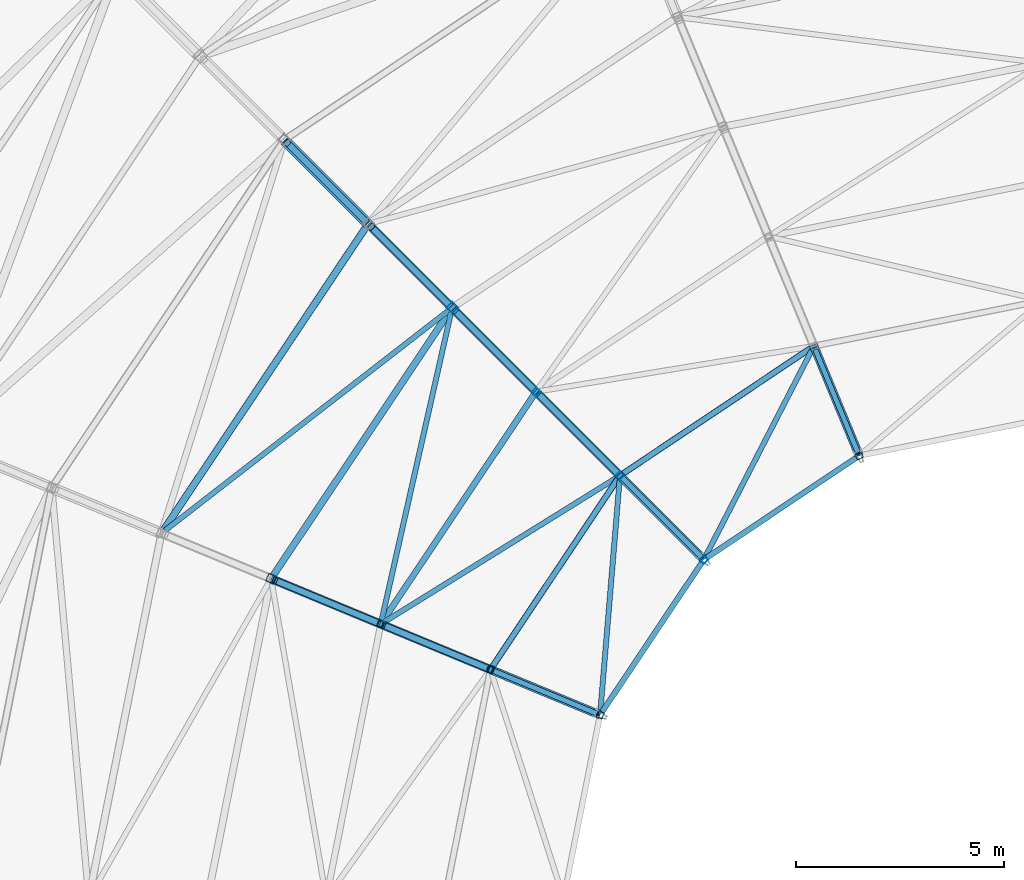
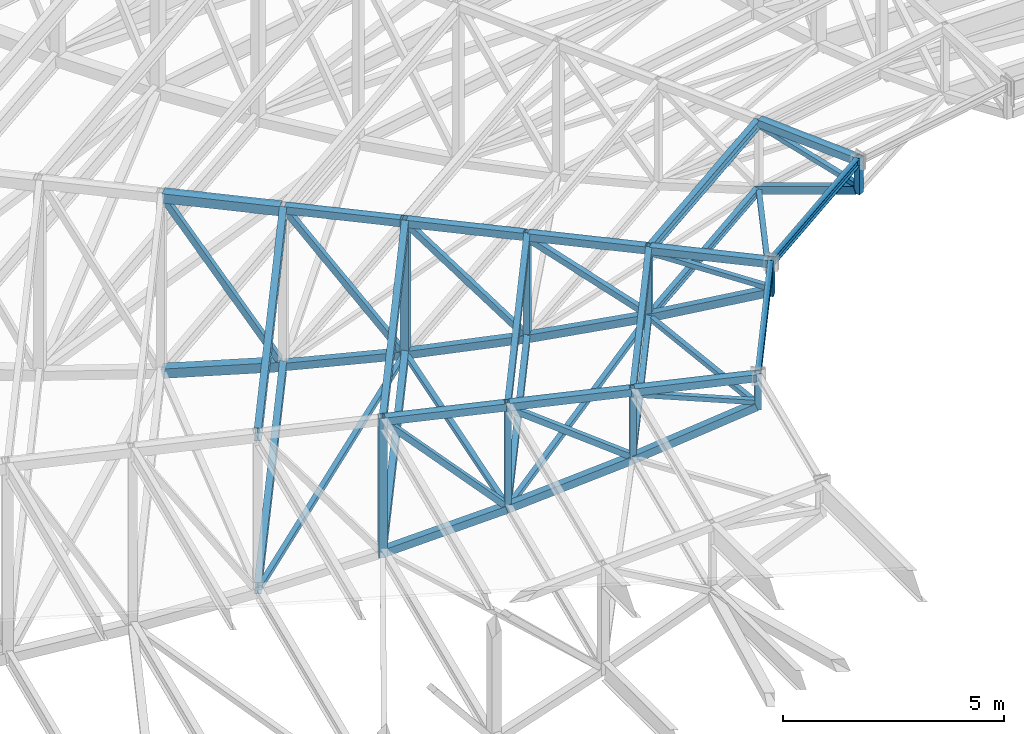
# One storey, part 72 of 278: 27 beams, 26 members.
"""IFC4 building model written with IfcOpenShell, lengths in metres."""

from ifc_helpers import new_model, si_unit, direction, frame, origin, origin_2d, place, context, subcontext, project, spatial, hollow_rectangle, i_section, extrude, material, material_profile, profile_set, type_object, element, save


model = new_model("IFC4")

# Units and contexts
model_context = context("Model", 3, precision=1e-05, world=origin(), true_north=direction((0.0, 1.0)))
body_context = subcontext(model_context, "Body", "Model", "MODEL_VIEW")
ifc_project = project(units=[si_unit("LENGTHUNIT", "METRE"), si_unit("AREAUNIT", "SQUARE_METRE"), si_unit("VOLUMEUNIT", "CUBIC_METRE"), si_unit("PLANEANGLEUNIT", "RADIAN"), si_unit("MASSUNIT", "GRAM", prefix="KILO")], contexts=[model_context])

# Site, building, storey
site_placement = place(None, origin())
site = spatial("IfcSite", under=ifc_project, at=site_placement, CompositionType="ELEMENT")
building_placement = place(site_placement, origin())
building = spatial("IfcBuilding", under=site, at=building_placement, Name="Ogive Plaza Stadium", CompositionType="ELEMENT")
storey_placement = place(building_placement, frame((0.0, 0.0, 29.0)))
storey = spatial("IfcBuildingStorey", under=building, at=storey_placement, Name="Roof", CompositionType="ELEMENT", Elevation=29.0)

# Members
ifc_material_1 = material(Name="Steel ASTM A500 Grade C", Category="steel")
ifc_material_profile_1 = material_profile(ifc_material_1, hollow_rectangle(XDim=0.126953125, YDim=0.126953125, WallThickness=0.005859375, at=origin_2d()), Name="HSS5X5X1/4")
ifc_profile_set_1 = profile_set([ifc_material_profile_1], Name="Steel ASTM A500 Grade C")
member_type_1 = type_object("IfcMemberType", Name="Roof plan brace HSS5X5X1/4", PredefinedType="BRACE", material=ifc_profile_set_1)
member_1_placement = place(storey_placement, frame((-44.618896484375, 56.970947265625, 6.51171875), z_axis=(0.081056653084, 0.974951652245, -0.207120966527), x_axis=(-0.996561754685, 0.082853298664, 0.0)))
element("IfcMember", 1, at=member_1_placement, inside=storey, type_object=member_type_1, Name="ROOF BRACE B29 1", PredefinedType="BRACE", context=body_context, shape_type="SweptSolid", body=[
    extrude(hollow_rectangle(XDim=0.126953125, YDim=0.126953125, WallThickness=0.005859375, at=origin_2d()), origin(), (0.0, 0.0, 1.0), 5.695556640625),
])
member_2_placement = place(storey_placement, frame((-44.20068359375, 62.61376953125, 5.295654296875), z_axis=(-0.838776078421, -0.520585571833, -0.159515995024), x_axis=(0.527337952885, -0.849655626385, 0.0)))
element("IfcMember", 2, at=member_2_placement, inside=storey, type_object=member_type_1, Name="ROOF BRACE B29 2", PredefinedType="BRACE", context=body_context, shape_type="SweptSolid", body=[
    extrude(hollow_rectangle(XDim=0.126953125, YDim=0.126953125, WallThickness=0.005859375, at=origin_2d()), origin(), (0.0, 0.0, 1.0), 6.673095703125),
])
member_3_placement = place(storey_placement, frame((-49.8779296875, 59.138916015625, 4.206298828125), z_axis=(0.218386127806, 0.968099836714, -0.122842196891), x_axis=(-0.97548797168, 0.220052759827, 0.0)))
element("IfcMember", 3, at=member_3_placement, inside=storey, type_object=member_type_1, Name="ROOF BRACE B29 3", PredefinedType="BRACE", context=body_context, shape_type="SweptSolid", body=[
    extrude(hollow_rectangle(XDim=0.126953125, YDim=0.126953125, WallThickness=0.005859375, at=origin_2d()), origin(), (0.0, 0.0, 1.0), 7.655517578125),
])
member_4_placement = place(storey_placement, frame((-48.240966796875, 66.628173828125, 3.242431640625), z_axis=(-0.786839994171, -0.610365157138, -0.091308260987), x_axis=(0.612925545904, -0.790140667969, 0.0)))
element("IfcMember", 4, at=member_4_placement, inside=storey, type_object=member_type_1, Name="ROOF BRACE B29 4", PredefinedType="BRACE", context=body_context, shape_type="SweptSolid", body=[
    extrude(hollow_rectangle(XDim=0.126953125, YDim=0.126953125, WallThickness=0.005859375, at=origin_2d()), origin(), (0.0, 0.0, 1.0), 8.665771484375),
])
member_5_placement = place(storey_placement, frame((-42.099609375, 60.6943359375, 6.51171875), z_axis=(0.447994348676, 0.86971173479, -0.207129336217), x_axis=(-0.888990772386, 0.457925110267, 0.0)))
element("IfcMember", 5, at=member_5_placement, inside=storey, type_object=member_type_1, Name="ROOF BRACE B30 1", PredefinedType="BRACE", context=body_context, shape_type="SweptSolid", body=[
    extrude(hollow_rectangle(XDim=0.126953125, YDim=0.126953125, WallThickness=0.005859375, at=origin_2d()), origin(), (0.0, 0.0, 1.0), 5.6953125),
])
ifc_material_2 = material(Name="Steel ASTM A992 Grade 50", Category="steel")
ifc_material_profile_2 = material_profile(ifc_material_2, i_section(OverallWidth=0.14599609375, OverallDepth=0.25830078125, WebThickness=0.006103515625, FlangeThickness=0.009033203125, at=origin_2d()), Name="W10X22")
ifc_profile_set_2 = profile_set([ifc_material_profile_2], Name="Steel ASTM A992 Grade 50")
member_type_2 = type_object("IfcMemberType", Name="Roof plan strut W10X22", PredefinedType="STRUT", material=ifc_profile_set_2)
member_6_placement = place(storey_placement, frame((-49.856201171875, 59.1337890625, 4.213623046875), z_axis=(0.555563791422, 0.831473916404, 0.0), x_axis=(-0.831473916404, 0.555563791422, 0.0)))
element("IfcMember", 6, at=member_6_placement, inside=storey, type_object=member_type_2, Name="ROOF STRUT B29 2", PredefinedType="STRUT", context=body_context, shape_type="SweptSolid", body=[
    extrude(i_section(OverallWidth=0.14599609375, OverallDepth=0.25830078125, WebThickness=0.006103515625, FlangeThickness=0.009033203125, at=origin_2d()), origin(), (0.0, 0.0, 1.0), 6.5869140625),
])
ifc_material_3 = material(Name="Steel ASTM A992 Grade 50", Category="steel")
ifc_material_profile_3 = material_profile(ifc_material_3, i_section(OverallWidth=0.164794921875, OverallDepth=0.310302734375, WebThickness=0.005859375, FlangeThickness=0.009765625, at=origin_2d()), Name="W12X26")
ifc_profile_set_3 = profile_set([ifc_material_profile_3], Name="Steel ASTM A992 Grade 50")
member_type_3 = type_object("IfcMemberType", Name="Roof plan strut W12X26", PredefinedType="STRUT", material=ifc_profile_set_3)
member_7_placement = place(storey_placement, frame((-52.473876953125, 60.24755859375, 3.249755859375), z_axis=(0.555562324677, 0.831474896434, 0.0), x_axis=(-0.831474896434, 0.555562324677, 0.0)))
element("IfcMember", 7, at=member_7_placement, inside=storey, type_object=member_type_3, Name="ROOF STRUT B29 3", PredefinedType="STRUT", context=body_context, shape_type="SweptSolid", body=[
    extrude(i_section(OverallWidth=0.164794921875, OverallDepth=0.310302734375, WebThickness=0.005859375, FlangeThickness=0.009765625, at=origin_2d()), origin(), (0.0, 0.0, 1.0), 7.643310546875),
])
member_8_placement = place(storey_placement, frame((-55.10693359375, 61.33837890625, 2.43994140625), z_axis=(0.555587921771, 0.831457792785, 0.0), x_axis=(-0.831457792785, 0.555587921771, 0.0)))
element("IfcMember", 8, at=member_8_placement, inside=storey, type_object=member_type_3, Name="ROOF STRUT B29 4", PredefinedType="STRUT", context=body_context, shape_type="SweptSolid", body=[
    extrude(i_section(OverallWidth=0.164794921875, OverallDepth=0.310302734375, WebThickness=0.005859375, FlangeThickness=0.009765625, at=origin_2d()), origin(), (0.0, 0.0, 1.0), 8.755126953125),
])
ifc_material_4 = material(Name="Steel ASTM A992 Grade 50", Category="steel")
ifc_material_profile_4 = material_profile(ifc_material_4, i_section(OverallWidth=0.13330078125, OverallDepth=0.206787109375, WebThickness=0.005859375, FlangeThickness=0.00830078125, at=origin_2d()), Name="W8X18")
ifc_profile_set_4 = profile_set([ifc_material_profile_4], Name="Steel ASTM A992 Grade 50")
member_type_4 = type_object("IfcMemberType", Name="Roof plan strut W8X18", PredefinedType="STRUT", material=ifc_profile_set_4)
for number, where, z_axis, x_axis, name in (
    (9, (-47.223876953125, 58.042236328125, 5.305908203125), (0.555584527762, 0.831460060683, 0.0), (-0.831460060683, 0.555584527762, 0.0), "ROOF STRUT B29 1"),
    (10, (-44.09619140625, 62.680908203125, 5.305908203125), (0.831460060683, 0.555584527762, 0.0), (-0.555584527762, 0.831460060683, 0.0), "ROOF STRUT B30 1"),
):
    element("IfcMember", number, at=place(storey_placement, frame(where, z_axis=z_axis, x_axis=x_axis)), inside=storey, type_object=member_type_4, Name=name, PredefinedType="STRUT", context=body_context, shape_type="SweptSolid", body=[
        extrude(i_section(OverallWidth=0.13330078125, OverallDepth=0.206787109375, WebThickness=0.005859375, FlangeThickness=0.00830078125, at=origin_2d()), origin(), (0.0, 0.0, 1.0), 5.47705078125),
    ])
ifc_material_5 = material(Name="Steel ASTM A992 Grade 50", Category="steel")
ifc_material_profile_5 = material_profile(ifc_material_5, i_section(OverallWidth=0.14599609375, OverallDepth=0.25830078125, WebThickness=0.006103515625, FlangeThickness=0.009033203125, at=origin_2d()), Name="W10X22")
ifc_profile_set_5 = profile_set([ifc_material_profile_5], Name="Steel ASTM A992 Grade 50")
member_type_5 = type_object("IfcMemberType", Name="Roof purlin W10X22", PredefinedType="PURLIN", material=ifc_profile_set_5)
member_9_placement = place(storey_placement, frame((-47.22314453125, 58.043212890625, 7.1533203125), z_axis=(0.55556435353, 0.831473540822, 0.0), x_axis=(-0.831473540822, 0.55556435353, 0.0)))
element("IfcMember", 11, at=member_9_placement, inside=storey, type_object=member_type_5, Name="ROOF PURLIN B29 1", PredefinedType="PURLIN", context=body_context, shape_type="SweptSolid", body=[
    extrude(i_section(OverallWidth=0.14599609375, OverallDepth=0.25830078125, WebThickness=0.006103515625, FlangeThickness=0.009033203125, at=origin_2d()), origin(), (0.0, 0.0, 1.0), 5.474609375),
])
member_10_placement = place(storey_placement, frame((-49.856201171875, 59.1337890625, 7.0107421875), z_axis=(0.555563791422, 0.831473916404, 0.0), x_axis=(-0.831473916404, 0.555563791422, 0.0)))
element("IfcMember", 12, at=member_10_placement, inside=storey, type_object=member_type_5, Name="ROOF PURLIN B29 2", PredefinedType="PURLIN", context=body_context, shape_type="SweptSolid", body=[
    extrude(i_section(OverallWidth=0.14599609375, OverallDepth=0.25830078125, WebThickness=0.006103515625, FlangeThickness=0.009033203125, at=origin_2d()), origin(), (0.0, 0.0, 1.0), 6.5869140625),
])
member_11_placement = place(storey_placement, frame((-44.09521484375, 62.681640625, 7.1533203125), z_axis=(0.831473540822, 0.55556435353, 0.0), x_axis=(-0.55556435353, 0.831473540822, 0.0)))
element("IfcMember", 13, at=member_11_placement, inside=storey, type_object=member_type_5, Name="ROOF PURLIN B30 1", PredefinedType="PURLIN", context=body_context, shape_type="SweptSolid", body=[
    extrude(i_section(OverallWidth=0.14599609375, OverallDepth=0.25830078125, WebThickness=0.006103515625, FlangeThickness=0.009033203125, at=origin_2d()), origin(), (0.0, 0.0, 1.0), 5.474609375),
])
ifc_material_6 = material(Name="Steel ASTM A992 Grade 50", Category="steel")
ifc_material_profile_6 = material_profile(ifc_material_6, i_section(OverallWidth=0.164794921875, OverallDepth=0.310302734375, WebThickness=0.005859375, FlangeThickness=0.009765625, at=origin_2d()), Name="W12X26")
ifc_profile_set_6 = profile_set([ifc_material_profile_6], Name="Steel ASTM A992 Grade 50")
member_type_6 = type_object("IfcMemberType", Name="Roof purlin W12X26", PredefinedType="PURLIN", material=ifc_profile_set_6)
member_12_placement = place(storey_placement, frame((-52.473876953125, 60.24755859375, 6.84228515625), z_axis=(0.555562324677, 0.831474896434, 0.0), x_axis=(-0.831474896434, 0.555562324677, 0.0)))
element("IfcMember", 14, at=member_12_placement, inside=storey, type_object=member_type_6, Name="ROOF PURLIN B29 3", PredefinedType="PURLIN", context=body_context, shape_type="SweptSolid", body=[
    extrude(i_section(OverallWidth=0.164794921875, OverallDepth=0.310302734375, WebThickness=0.005859375, FlangeThickness=0.009765625, at=origin_2d()), origin(), (0.0, 0.0, 1.0), 7.643310546875),
])
ifc_material_7 = material(Name="Steel ASTM A992 Grade 50", Category="steel")
ifc_material_profile_7 = material_profile(ifc_material_7, i_section(OverallWidth=0.17138671875, OverallDepth=0.35498046875, WebThickness=0.00732421875, FlangeThickness=0.011474609375, at=origin_2d()), Name="W14X34")
ifc_profile_set_7 = profile_set([ifc_material_profile_7], Name="Steel ASTM A992 Grade 50")
member_type_7 = type_object("IfcMemberType", Name="Roof purlin W14X34", PredefinedType="PURLIN", material=ifc_profile_set_7)
member_13_placement = place(storey_placement, frame((-55.1064453125, 61.3388671875, 6.677490234375), z_axis=(0.555562332825, 0.83147489099, 0.0), x_axis=(-0.83147489099, 0.555562332825, 0.0)))
element("IfcMember", 15, at=member_13_placement, inside=storey, type_object=member_type_7, Name="ROOF PURLIN B29 4", PredefinedType="PURLIN", context=body_context, shape_type="SweptSolid", body=[
    extrude(i_section(OverallWidth=0.17138671875, OverallDepth=0.35498046875, WebThickness=0.00732421875, FlangeThickness=0.011474609375, at=origin_2d()), origin(), (0.0, 0.0, 1.0), 8.75390625),
])
ifc_material_8 = material(Name="Steel ASTM A992 Grade 50", Category="steel")
ifc_material_profile_8 = material_profile(ifc_material_8, i_section(OverallWidth=0.13330078125, OverallDepth=0.206787109375, WebThickness=0.005859375, FlangeThickness=0.00830078125, at=origin_2d()), Name="W8X18")
ifc_profile_set_8 = profile_set([ifc_material_profile_8], Name="Steel ASTM A992 Grade 50")
member_type_8 = type_object("IfcMemberType", Name="Roof tip ring beam W8X18", PredefinedType="MEMBER", material=ifc_profile_set_8)
for number, where, z_axis, x_axis, name in (
    (16, (-44.5908203125, 56.95166015625, 7.321533203125), (0.555603345252, 0.831447486462, 0.0), (-0.831447486462, 0.555603345252, 0.0), "RING BEAM B29"),
    (17, (-42.0810546875, 60.66552734375, 7.321533203125), (0.831447486462, 0.555603345252, 0.0), (-0.555603345252, 0.831447486462, 0.0), "RING BEAM B30"),
):
    element("IfcMember", number, at=place(storey_placement, frame(where, z_axis=z_axis, x_axis=x_axis)), inside=storey, type_object=member_type_8, Name=name, PredefinedType="MEMBER", context=body_context, shape_type="SweptSolid", body=[
        extrude(i_section(OverallWidth=0.13330078125, OverallDepth=0.206787109375, WebThickness=0.005859375, FlangeThickness=0.00830078125, at=origin_2d()), origin(), (0.0, 0.0, 1.0), 4.365234375),
    ])

# Beams
ifc_material_9 = material(Name="Steel ASTM A500 Grade C", Category="steel")
ifc_material_profile_9 = material_profile(ifc_material_9, hollow_rectangle(XDim=0.25390625, YDim=0.25390625, WallThickness=0.01171875, at=origin_2d()), Name="HSS10X10X1/2")
ifc_profile_set_9 = profile_set([ifc_material_profile_9], Name="Steel ASTM A500 Grade C")
beam_type_1 = type_object("IfcBeamType", Name="Roof truss bottom chord HSS10X10X1/2", PredefinedType="BEAM", material=ifc_profile_set_9)
beam_1_placement = place(storey_placement, frame((-50.222412109375, 68.722412109375, 2.433349609375), z_axis=(-0.686330364607, 0.686330364607, -0.240626809059), x_axis=(-0.707106781187, -0.707106781187, 0.0)))
element("IfcBeam", 18, at=beam_1_placement, inside=storey, type_object=beam_type_1, Name="ROOF TRUSS T30 BOTTOM CHORD 5", PredefinedType="BEAM", context=body_context, shape_type="SweptSolid", body=[
    extrude(hollow_rectangle(XDim=0.25390625, YDim=0.25390625, WallThickness=0.01171875, at=origin_2d()), origin(), (0.0, 0.0, 1.0), 2.85009765625),
])
ifc_material_10 = material(Name="Steel ASTM A500 Grade C", Category="steel")
ifc_material_profile_10 = material_profile(ifc_material_10, hollow_rectangle(XDim=0.203125, YDim=0.203125, WallThickness=0.01171875, at=origin_2d()), Name="HSS8X8X1/2")
ifc_profile_set_10 = profile_set([ifc_material_profile_10], Name="Steel ASTM A500 Grade C")
beam_type_2 = type_object("IfcBeamType", Name="Roof truss bottom chord HSS8X8X1/2", PredefinedType="BEAM", material=ifc_profile_set_10)
beam_2_placement = place(storey_placement, frame((-44.66162109375, 56.916259765625, 6.518310546875), z_axis=(-0.849251260717, 0.351765143459, -0.393743038055), x_axis=(-0.382677632008, -0.923881935076, 0.0)))
element("IfcBeam", 19, at=beam_2_placement, inside=storey, type_object=beam_type_2, Name="ROOF TRUSS T29 BOTTOM CHORD 1", PredefinedType="BEAM", context=body_context, shape_type="SweptSolid", body=[
    extrude(hollow_rectangle(XDim=0.203125, YDim=0.203125, WallThickness=0.01171875, at=origin_2d()), origin(), (0.0, 0.0, 1.0), 3.047607421875),
])
beam_3_placement = place(storey_placement, frame((-47.291259765625, 58.00537109375, 5.299072265625), z_axis=(-0.862700869161, 0.357350015784, -0.357838198866), x_axis=(-0.38269039354, -0.923876649068, 0.0)))
element("IfcBeam", 20, at=beam_3_placement, inside=storey, type_object=beam_type_2, Name="ROOF TRUSS T29 BOTTOM CHORD 2", PredefinedType="BEAM", context=body_context, shape_type="SweptSolid", body=[
    extrude(hollow_rectangle(XDim=0.203125, YDim=0.203125, WallThickness=0.01171875, at=origin_2d()), origin(), (0.0, 0.0, 1.0), 3.00048828125),
])
beam_4_placement = place(storey_placement, frame((-49.9208984375, 59.0947265625, 4.208251953125), z_axis=(-0.875211905582, 0.362478322525, -0.320333554327), x_axis=(-0.382641697258, -0.923896818654, 0.0)))
element("IfcBeam", 21, at=beam_4_placement, inside=storey, type_object=beam_type_2, Name="ROOF TRUSS T29 BOTTOM CHORD 3", PredefinedType="BEAM", context=body_context, shape_type="SweptSolid", body=[
    extrude(hollow_rectangle(XDim=0.203125, YDim=0.203125, WallThickness=0.01171875, at=origin_2d()), origin(), (0.0, 0.0, 1.0), 2.93115234375),
])
beam_5_placement = place(storey_placement, frame((-42.159912109375, 60.659912109375, 6.518310546875), z_axis=(-0.649991641877, 0.649991641877, -0.393727991105), x_axis=(-0.707106781187, -0.707106781187, 0.0)))
element("IfcBeam", 22, at=beam_5_placement, inside=storey, type_object=beam_type_2, Name="ROOF TRUSS T30 BOTTOM CHORD 1", PredefinedType="BEAM", context=body_context, shape_type="SweptSolid", body=[
    extrude(hollow_rectangle(XDim=0.203125, YDim=0.203125, WallThickness=0.01171875, at=origin_2d()), origin(), (0.0, 0.0, 1.0), 3.047607421875),
])
beam_6_placement = place(storey_placement, frame((-44.172607421875, 62.672607421875, 5.299072265625), z_axis=(-0.660282530207, 0.660282530207, -0.357846280696), x_axis=(-0.707106781187, -0.707106781187, 0.0)))
element("IfcBeam", 23, at=beam_6_placement, inside=storey, type_object=beam_type_2, Name="ROOF TRUSS T30 BOTTOM CHORD 2", PredefinedType="BEAM", context=body_context, shape_type="SweptSolid", body=[
    extrude(hollow_rectangle(XDim=0.203125, YDim=0.203125, WallThickness=0.01171875, at=origin_2d()), origin(), (0.0, 0.0, 1.0), 3.00048828125),
])
beam_7_placement = place(storey_placement, frame((-46.185302734375, 64.685302734375, 4.208251953125), z_axis=(-0.669842885188, 0.669842885188, -0.32034515499), x_axis=(-0.707106781187, -0.707106781187, 0.0)))
element("IfcBeam", 24, at=beam_7_placement, inside=storey, type_object=beam_type_2, Name="ROOF TRUSS T30 BOTTOM CHORD 3", PredefinedType="BEAM", context=body_context, shape_type="SweptSolid", body=[
    extrude(hollow_rectangle(XDim=0.203125, YDim=0.203125, WallThickness=0.01171875, at=origin_2d()), origin(), (0.0, 0.0, 1.0), 2.93115234375),
])
beam_8_placement = place(storey_placement, frame((-48.208740234375, 66.708740234375, 3.2412109375), z_axis=(-0.678564027616, 0.678564027616, -0.281250281514), x_axis=(-0.707106781187, -0.707106781187, 0.0)))
element("IfcBeam", 25, at=beam_8_placement, inside=storey, type_object=beam_type_2, Name="ROOF TRUSS T30 BOTTOM CHORD 4", PredefinedType="BEAM", context=body_context, shape_type="SweptSolid", body=[
    extrude(hollow_rectangle(XDim=0.203125, YDim=0.203125, WallThickness=0.01171875, at=origin_2d()), origin(), (0.0, 0.0, 1.0), 2.877685546875),
])
beam_9_placement = place(storey_placement, frame((-38.416259765625, 63.16162109375, 6.518310546875), z_axis=(-0.351765143459, 0.849251260717, -0.393743038055), x_axis=(-0.923881935076, -0.382677632008, 0.0)))
element("IfcBeam", 26, at=beam_9_placement, inside=storey, type_object=beam_type_2, Name="ROOF TRUSS T31 BOTTOM CHORD 1", PredefinedType="BEAM", context=body_context, shape_type="SweptSolid", body=[
    extrude(hollow_rectangle(XDim=0.203125, YDim=0.203125, WallThickness=0.01171875, at=origin_2d()), origin(), (0.0, 0.0, 1.0), 3.047607421875),
])

# Members
ifc_material_11 = material(Name="Steel ASTM A500 Grade C", Category="steel")
ifc_material_profile_11 = material_profile(ifc_material_11, hollow_rectangle(XDim=0.126953125, YDim=0.126953125, WallThickness=0.005859375, at=origin_2d()), Name="HSS5X5X1/4")
ifc_profile_set_11 = profile_set([ifc_material_profile_11], Name="Steel ASTM A500 Grade C")
member_type_9 = type_object("IfcMemberType", Name="Roof truss diagonal HSS5X5X1/4", PredefinedType="BRACE", material=ifc_profile_set_11)
for number, where, z_axis, x_axis, name in (
    (27, (-44.695068359375, 56.929931640625, 6.628173828125), (-0.911200476609, 0.377494789927, 0.164958706972), (-0.382738120768, -0.923856877937, 0.0), "ROOF TRUSS T29 DIAGONAL 1"),
    (28, (-42.185546875, 60.685546875, 6.628173828125), (-0.69741961611, 0.69741961611, 0.164959868242), (-0.707106781187, -0.707106781187, 0.0), "ROOF TRUSS T30 DIAGONAL 1"),
    (29, (-38.429931640625, 63.195068359375, 6.628173828125), (-0.377494789927, 0.911200476609, 0.164958706972), (-0.923856877937, -0.382738120768, 0.0), "ROOF TRUSS T31 DIAGONAL 1"),
):
    element("IfcMember", number, at=place(storey_placement, frame(where, z_axis=z_axis, x_axis=x_axis)), inside=storey, type_object=member_type_9, Name=name, PredefinedType="BRACE", context=body_context, shape_type="SweptSolid", body=[
        extrude(hollow_rectangle(XDim=0.126953125, YDim=0.126953125, WallThickness=0.005859375, at=origin_2d()), origin(), (0.0, 0.0, 1.0), 2.735107421875),
    ])
ifc_material_12 = material(Name="Steel ASTM A500 Grade C", Category="steel")
ifc_material_profile_12 = material_profile(ifc_material_12, hollow_rectangle(XDim=0.15234375, YDim=0.15234375, WallThickness=0.005859375, at=origin_2d()), Name="HSS6X6X1/4")
ifc_profile_set_12 = profile_set([ifc_material_profile_12], Name="Steel ASTM A500 Grade C")
member_type_10 = type_object("IfcMemberType", Name="Roof truss diagonal HSS6X6X1/4", PredefinedType="BRACE", material=ifc_profile_set_12)
member_14_placement = place(storey_placement, frame((-47.328125, 58.020751953125, 5.407470703125), z_axis=(-0.803712399025, 0.332885582198, 0.493187153947), x_axis=(-0.382660871212, -0.923888877324, 0.0)))
element("IfcMember", 30, at=member_14_placement, inside=storey, type_object=member_type_10, Name="ROOF TRUSS T29 DIAGONAL 2", PredefinedType="BRACE", context=body_context, shape_type="SweptSolid", body=[
    extrude(hollow_rectangle(XDim=0.15234375, YDim=0.15234375, WallThickness=0.005859375, at=origin_2d()), origin(), (0.0, 0.0, 1.0), 3.100830078125),
])
member_15_placement = place(storey_placement, frame((-49.961181640625, 59.111328125, 4.315185546875), z_axis=(-0.677295435038, 0.280576599819, 0.680108568767), x_axis=(-0.382720275855, -0.923864270577, 0.0)))
element("IfcMember", 31, at=member_15_placement, inside=storey, type_object=member_type_10, Name="ROOF TRUSS T29 DIAGONAL 3", PredefinedType="BRACE", context=body_context, shape_type="SweptSolid", body=[
    extrude(hollow_rectangle(XDim=0.15234375, YDim=0.15234375, WallThickness=0.005859375, at=origin_2d()), origin(), (0.0, 0.0, 1.0), 3.64501953125),
])
member_16_placement = place(storey_placement, frame((-44.200927734375, 62.700927734375, 5.407470703125), z_axis=(-0.61513271655, 0.61513271655, 0.493176927745), x_axis=(-0.707106781187, -0.707106781187, 0.0)))
element("IfcMember", 32, at=member_16_placement, inside=storey, type_object=member_type_10, Name="ROOF TRUSS T30 DIAGONAL 2", PredefinedType="BRACE", context=body_context, shape_type="SweptSolid", body=[
    extrude(hollow_rectangle(XDim=0.15234375, YDim=0.15234375, WallThickness=0.005859375, at=origin_2d()), origin(), (0.0, 0.0, 1.0), 3.100830078125),
])
member_17_placement = place(storey_placement, frame((-46.216064453125, 64.716064453125, 4.315185546875), z_axis=(-0.518402991989, 0.518402991989, 0.680085785614), x_axis=(-0.707106781187, -0.707106781187, 0.0)))
element("IfcMember", 33, at=member_17_placement, inside=storey, type_object=member_type_10, Name="ROOF TRUSS T30 DIAGONAL 3", PredefinedType="BRACE", context=body_context, shape_type="SweptSolid", body=[
    extrude(hollow_rectangle(XDim=0.15234375, YDim=0.15234375, WallThickness=0.005859375, at=origin_2d()), origin(), (0.0, 0.0, 1.0), 3.64501953125),
])
member_18_placement = place(storey_placement, frame((-48.249267578125, 66.749267578125, 3.3515625), z_axis=(-0.442396624327, 0.442396624327, 0.780109257456), x_axis=(-0.707106781187, -0.707106781187, 0.0)))
element("IfcMember", 34, at=member_18_placement, inside=storey, type_object=member_type_10, Name="ROOF TRUSS T30 DIAGONAL 4", PredefinedType="BRACE", context=body_context, shape_type="SweptSolid", body=[
    extrude(hollow_rectangle(XDim=0.15234375, YDim=0.15234375, WallThickness=0.005859375, at=origin_2d()), origin(), (0.0, 0.0, 1.0), 4.23046875),
])
member_19_placement = place(storey_placement, frame((-50.2646484375, 68.7646484375, 2.56689453125), z_axis=(-0.397667434985, 0.397667434985, 0.826874369118), x_axis=(-0.707106781187, -0.707106781187, 0.0)))
element("IfcMember", 35, at=member_19_placement, inside=storey, type_object=member_type_10, Name="ROOF TRUSS T30 DIAGONAL 5", PredefinedType="BRACE", context=body_context, shape_type="SweptSolid", body=[
    extrude(hollow_rectangle(XDim=0.15234375, YDim=0.15234375, WallThickness=0.005859375, at=origin_2d()), origin(), (0.0, 0.0, 1.0), 4.706298828125),
])

# Beams
ifc_material_13 = material(Name="Steel ASTM A500 Grade C", Category="steel")
ifc_material_profile_13 = material_profile(ifc_material_13, hollow_rectangle(XDim=0.15234375, YDim=0.15234375, WallThickness=0.0087890625, at=origin_2d()), Name="HSS6X6X3/8")
ifc_profile_set_13 = profile_set([ifc_material_profile_13], Name="Steel ASTM A500 Grade C")
beam_type_3 = type_object("IfcBeamType", Name="Roof truss post HSS6X6X3/8", PredefinedType="BEAM", material=ifc_profile_set_13)
beam_10_placement = place(storey_placement, frame((-44.62451171875, 56.90087890625, 6.425048828125), z_axis=(0.0, 0.0, 1.0), x_axis=(-0.382683432365, -0.923879532511, 0.0)))
element("IfcBeam", 36, at=beam_10_placement, inside=storey, type_object=beam_type_3, Name="ROOF TRUSS T29 POST 1", PredefinedType="BEAM", context=body_context, shape_type="SweptSolid", body=[
    extrude(hollow_rectangle(XDim=0.15234375, YDim=0.15234375, WallThickness=0.0087890625, at=origin_2d()), origin(), (0.0, 0.0, 1.0), 1.0),
])
beam_11_placement = place(storey_placement, frame((-47.257568359375, 57.991455078125, 5.204345703125), z_axis=(0.0, 0.0, 1.0), x_axis=(-0.382683432365, -0.923879532511, 0.0)))
element("IfcBeam", 37, at=beam_11_placement, inside=storey, type_object=beam_type_3, Name="ROOF TRUSS T29 POST 2", PredefinedType="BEAM", context=body_context, shape_type="SweptSolid", body=[
    extrude(hollow_rectangle(XDim=0.15234375, YDim=0.15234375, WallThickness=0.0087890625, at=origin_2d()), origin(), (0.0, 0.0, 1.0), 2.078125),
])
beam_12_placement = place(storey_placement, frame((-49.890625, 59.082275390625, 4.112060546875), z_axis=(0.0, 0.0, 1.0), x_axis=(-0.382683432365, -0.923879532511, 0.0)))
element("IfcBeam", 38, at=beam_12_placement, inside=storey, type_object=beam_type_3, Name="ROOF TRUSS T29 POST 3", PredefinedType="BEAM", context=body_context, shape_type="SweptSolid", body=[
    extrude(hollow_rectangle(XDim=0.15234375, YDim=0.15234375, WallThickness=0.0087890625, at=origin_2d()), origin(), (0.0, 0.0, 1.0), 3.02783203125),
])
beam_13_placement = place(storey_placement, frame((-42.1318359375, 60.6318359375, 6.425048828125), z_axis=(0.0, 0.0, 1.0), x_axis=(-0.707106781187, -0.707106781187, 0.0)))
element("IfcBeam", 39, at=beam_13_placement, inside=storey, type_object=beam_type_3, Name="ROOF TRUSS T30 POST 1", PredefinedType="BEAM", context=body_context, shape_type="SweptSolid", body=[
    extrude(hollow_rectangle(XDim=0.15234375, YDim=0.15234375, WallThickness=0.0087890625, at=origin_2d()), origin(), (0.0, 0.0, 1.0), 1.0),
])
beam_14_placement = place(storey_placement, frame((-44.14697265625, 62.64697265625, 5.204345703125), z_axis=(0.0, 0.0, 1.0), x_axis=(-0.707106781187, -0.707106781187, 0.0)))
element("IfcBeam", 40, at=beam_14_placement, inside=storey, type_object=beam_type_3, Name="ROOF TRUSS T30 POST 2", PredefinedType="BEAM", context=body_context, shape_type="SweptSolid", body=[
    extrude(hollow_rectangle(XDim=0.15234375, YDim=0.15234375, WallThickness=0.0087890625, at=origin_2d()), origin(), (0.0, 0.0, 1.0), 2.078125),
])
beam_15_placement = place(storey_placement, frame((-46.162353515625, 64.662353515625, 4.112060546875), z_axis=(0.0, 0.0, 1.0), x_axis=(-0.707106781187, -0.707106781187, 0.0)))
element("IfcBeam", 41, at=beam_15_placement, inside=storey, type_object=beam_type_3, Name="ROOF TRUSS T30 POST 3", PredefinedType="BEAM", context=body_context, shape_type="SweptSolid", body=[
    extrude(hollow_rectangle(XDim=0.15234375, YDim=0.15234375, WallThickness=0.0087890625, at=origin_2d()), origin(), (0.0, 0.0, 1.0), 3.02783203125),
])
beam_16_placement = place(storey_placement, frame((-38.40087890625, 63.12451171875, 6.425048828125), z_axis=(0.0, 0.0, 1.0), x_axis=(-0.923879532511, -0.382683432365, 0.0)))
element("IfcBeam", 42, at=beam_16_placement, inside=storey, type_object=beam_type_3, Name="ROOF TRUSS T31 POST 1", PredefinedType="BEAM", context=body_context, shape_type="SweptSolid", body=[
    extrude(hollow_rectangle(XDim=0.15234375, YDim=0.15234375, WallThickness=0.0087890625, at=origin_2d()), origin(), (0.0, 0.0, 1.0), 1.0),
])
ifc_material_14 = material(Name="Steel ASTM A500 Grade C", Category="steel")
ifc_material_profile_14 = material_profile(ifc_material_14, hollow_rectangle(XDim=0.203125, YDim=0.203125, WallThickness=0.0087890625, at=origin_2d()), Name="HSS8X8X3/8")
ifc_profile_set_14 = profile_set([ifc_material_profile_14], Name="Steel ASTM A500 Grade C")
beam_type_4 = type_object("IfcBeamType", Name="Roof truss post HSS8X8X3/8", PredefinedType="BEAM", material=ifc_profile_set_14)
for number, where, z_axis, x_axis, name in (
    (43, (-52.523681640625, 60.1728515625, 3.148193359375), (0.0, 0.0, 1.0), (-0.382683432365, -0.923879532511, 0.0), "ROOF TRUSS T29 POST 4"),
    (44, (-48.177490234375, 66.677490234375, 3.148193359375), (0.0, 0.0, 1.0), (-0.707106781187, -0.707106781187, 0.0), "ROOF TRUSS T30 POST 4"),
):
    element("IfcBeam", number, at=place(storey_placement, frame(where, z_axis=z_axis, x_axis=x_axis)), inside=storey, type_object=beam_type_4, Name=name, PredefinedType="BEAM", context=body_context, shape_type="SweptSolid", body=[
        extrude(hollow_rectangle(XDim=0.203125, YDim=0.203125, WallThickness=0.0087890625, at=origin_2d()), origin(), (0.0, 0.0, 1.0), 3.849365234375),
    ])
ifc_material_15 = material(Name="Steel ASTM A500 Grade C", Category="steel")
ifc_material_profile_15 = material_profile(ifc_material_15, hollow_rectangle(XDim=0.25390625, YDim=0.25390625, WallThickness=0.0087890625, at=origin_2d()), Name="HSS10X10X3/8")
ifc_profile_set_15 = profile_set([ifc_material_profile_15], Name="Steel ASTM A500 Grade C")
beam_type_5 = type_object("IfcBeamType", Name="Roof truss top chord HSS10X10X3/8", PredefinedType="BEAM", material=ifc_profile_set_15)
beam_17_placement = place(storey_placement, frame((-50.22802734375, 68.72802734375, 6.725341796875), z_axis=(-0.706225209818, 0.706225209818, -0.049918994743), x_axis=(-0.707106781187, -0.707106781187, 0.0)))
element("IfcBeam", 45, at=beam_17_placement, inside=storey, type_object=beam_type_5, Name="ROOF TRUSS T30 TOP CHORD 5", PredefinedType="BEAM", context=body_context, shape_type="SweptSolid", body=[
    extrude(hollow_rectangle(XDim=0.25390625, YDim=0.25390625, WallThickness=0.0087890625, at=origin_2d()), origin(), (0.0, 0.0, 1.0), 2.75341796875),
])
ifc_material_16 = material(Name="Steel ASTM A500 Grade C", Category="steel")
ifc_material_profile_16 = material_profile(ifc_material_16, hollow_rectangle(XDim=0.203125, YDim=0.203125, WallThickness=0.0087890625, at=origin_2d()), Name="HSS8X8X3/8")
ifc_profile_set_16 = profile_set([ifc_material_profile_16], Name="Steel ASTM A500 Grade C")
beam_type_6 = type_object("IfcBeamType", Name="Roof truss top chord HSS8X8X3/8", PredefinedType="BEAM", material=ifc_profile_set_16)
for number, where, z_axis, x_axis, name in (
    (46, (-44.66259765625, 56.91650390625, 7.3212890625), (-0.922709851429, 0.382245373816, -0.049950017735), (-0.382723119906, -0.923863092395, 0.0), "ROOF TRUSS T29 TOP CHORD 1"),
    (47, (-47.295654296875, 58.00732421875, 7.1787109375), (-0.922740920758, 0.382170146482, -0.049951699644), (-0.382647830777, -0.923894278368, 0.0), "ROOF TRUSS T29 TOP CHORD 2"),
):
    element("IfcBeam", number, at=place(storey_placement, frame(where, z_axis=z_axis, x_axis=x_axis)), inside=storey, type_object=beam_type_6, Name=name, PredefinedType="BEAM", context=body_context, shape_type="SweptSolid", body=[
        extrude(hollow_rectangle(XDim=0.203125, YDim=0.203125, WallThickness=0.0087890625, at=origin_2d()), origin(), (0.0, 0.0, 1.0), 2.771240234375),
    ])
beam_18_placement = place(storey_placement, frame((-49.9287109375, 59.097900390625, 7.0361328125), z_axis=(-0.922739022917, 0.382176583821, -0.049937504593), x_axis=(-0.382654004196, -0.923891721509, 0.0)))
element("IfcBeam", 48, at=beam_18_placement, inside=storey, type_object=beam_type_6, Name="ROOF TRUSS T29 TOP CHORD 3", PredefinedType="BEAM", context=body_context, shape_type="SweptSolid", body=[
    extrude(hollow_rectangle(XDim=0.203125, YDim=0.203125, WallThickness=0.0087890625, at=origin_2d()), origin(), (0.0, 0.0, 1.0), 2.76220703125),
])
for number, where, z_axis, x_axis, name in (
    (49, (-42.160888671875, 60.660888671875, 7.3212890625), (-0.706223982221, 0.706223982221, -0.049953717305), (-0.707106781187, -0.707106781187, 0.0), "ROOF TRUSS T30 TOP CHORD 1"),
    (50, (-44.176025390625, 62.676025390625, 7.1787109375), (-0.706223982221, 0.706223982221, -0.049953717305), (-0.707106781187, -0.707106781187, 0.0), "ROOF TRUSS T30 TOP CHORD 2"),
):
    element("IfcBeam", number, at=place(storey_placement, frame(where, z_axis=z_axis, x_axis=x_axis)), inside=storey, type_object=beam_type_6, Name=name, PredefinedType="BEAM", context=body_context, shape_type="SweptSolid", body=[
        extrude(hollow_rectangle(XDim=0.203125, YDim=0.203125, WallThickness=0.0087890625, at=origin_2d()), origin(), (0.0, 0.0, 1.0), 2.771240234375),
    ])
beam_19_placement = place(storey_placement, frame((-46.19140625, 64.69140625, 7.0361328125), z_axis=(-0.706224483958, 0.706224483958, -0.04993952859), x_axis=(-0.707106781187, -0.707106781187, 0.0)))
element("IfcBeam", 51, at=beam_19_placement, inside=storey, type_object=beam_type_6, Name="ROOF TRUSS T30 TOP CHORD 3", PredefinedType="BEAM", context=body_context, shape_type="SweptSolid", body=[
    extrude(hollow_rectangle(XDim=0.203125, YDim=0.203125, WallThickness=0.0087890625, at=origin_2d()), origin(), (0.0, 0.0, 1.0), 2.76220703125),
])
beam_20_placement = place(storey_placement, frame((-48.212890625, 66.712890625, 6.893310546875), z_axis=(-0.706225209818, 0.706225209818, -0.049918994743), x_axis=(-0.707106781187, -0.707106781187, 0.0)))
element("IfcBeam", 52, at=beam_20_placement, inside=storey, type_object=beam_type_6, Name="ROOF TRUSS T30 TOP CHORD 4", PredefinedType="BEAM", context=body_context, shape_type="SweptSolid", body=[
    extrude(hollow_rectangle(XDim=0.203125, YDim=0.203125, WallThickness=0.0087890625, at=origin_2d()), origin(), (0.0, 0.0, 1.0), 2.75341796875),
])
beam_21_placement = place(storey_placement, frame((-38.41650390625, 63.16259765625, 7.3212890625), z_axis=(-0.382245373816, 0.922709851429, -0.049950017735), x_axis=(-0.923863092395, -0.382723119906, 0.0)))
element("IfcBeam", 53, at=beam_21_placement, inside=storey, type_object=beam_type_6, Name="ROOF TRUSS T31 TOP CHORD 1", PredefinedType="BEAM", context=body_context, shape_type="SweptSolid", body=[
    extrude(hollow_rectangle(XDim=0.203125, YDim=0.203125, WallThickness=0.0087890625, at=origin_2d()), origin(), (0.0, 0.0, 1.0), 2.771240234375),
])

save(model, "model.ifc")
